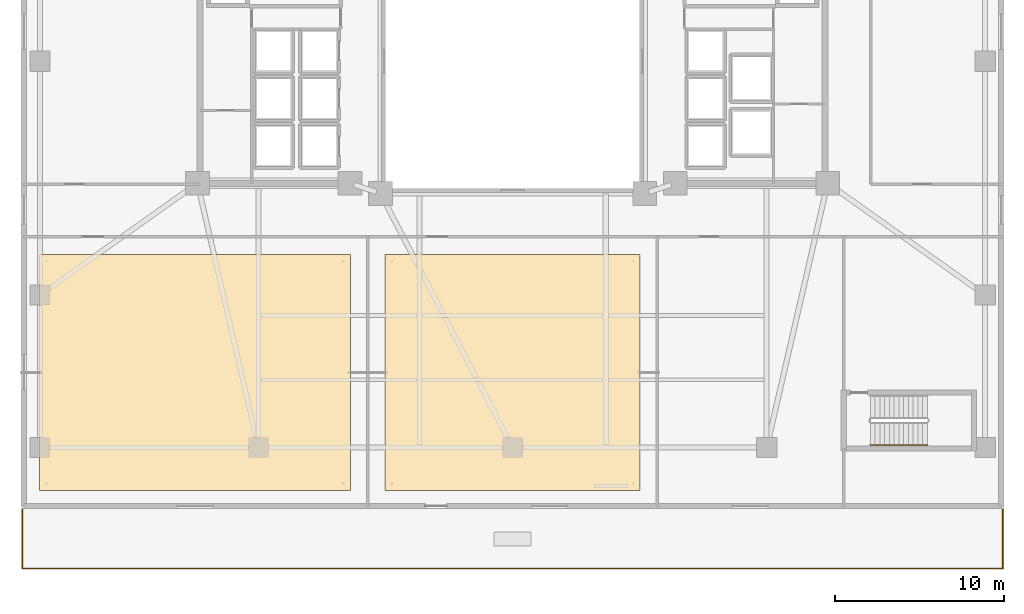
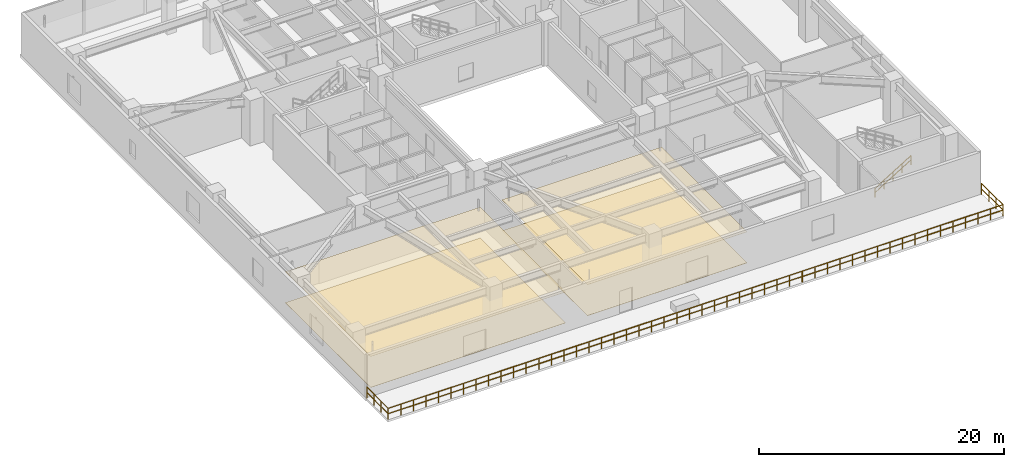
# One storey, part 19 of 22: 4 coverings, 4 railings.
"""IFC4 building model written with IfcOpenShell, lengths in metres."""

from ifc_helpers import new_model, si_unit, direction, frame, origin, origin_2d, place, context, subcontext, project, spatial, polyline, circle, outline, extrude, material, layer, layer_set, type_object, element, save


model = new_model("IFC4")

# Units and contexts
model_context = context("Model", 3, precision=1e-05, world=origin(), true_north=direction((0.0, 1.0)))
body_context = subcontext(model_context, "Body", "Model", "MODEL_VIEW")
ifc_project = project(units=[si_unit("LENGTHUNIT", "METRE"), si_unit("AREAUNIT", "SQUARE_METRE"), si_unit("VOLUMEUNIT", "CUBIC_METRE"), si_unit("PLANEANGLEUNIT", "RADIAN"), si_unit("MASSUNIT", "GRAM", prefix="KILO")], contexts=[model_context])

# Site, building, storey
site_placement = place(None, origin())
site = spatial("IfcSite", under=ifc_project, at=site_placement, CompositionType="ELEMENT")
building_placement = place(site_placement, origin())
building = spatial("IfcBuilding", under=site, at=building_placement, Name="Tarnavaz Court Tower", CompositionType="ELEMENT")
storey_placement = place(building_placement, frame((0.0, 0.0, 14.39990234375)))
storey = spatial("IfcBuildingStorey", under=building, at=storey_placement, Name="L03", CompositionType="ELEMENT", Elevation=14.39990234375)

# Coverings
ifc_material_1 = material(Name="Perforated Gypsum Acoustic Ceiling Tile", Category="masonry")
ifc_layer_1 = layer(ifc_material_1, 0.02490234375)
ifc_layer_set_1 = layer_set([ifc_layer_1], Name="Perforated Gypsum Acoustic Ceiling Tile")
covering_type_1 = type_object("IfcCoveringType", Name="CV-CEIL-AC", PredefinedType="CEILING", material=ifc_layer_set_1)
covering_1_placement = place(storey_placement, frame((0.0, 0.0, 3.080078125)))
element("IfcCovering", 1, at=covering_1_placement, inside=storey, type_object=covering_type_1, Name="L03 L03 West Terrace Waiting Lounge Suspended Acoustic Ceiling", PredefinedType="CEILING", context=body_context, shape_type="SweptSolid", body=[
    extrude(outline(polyline([(-27.929931640625, -25.330078125), (-9.580078125, -25.330078125), (-9.580078125, -11.39990234375), (-27.929931640625, -11.39990234375), (-27.929931640625, -25.330078125)])), origin(), (0.0, 0.0, 1.0), 0.02490234375),
])
covering_2_placement = place(storey_placement, frame((0.0, 0.0, 3.080078125)))
element("IfcCovering", 2, at=covering_2_placement, inside=storey, type_object=covering_type_1, Name="L03 Parent and Community Welfare Lounge Suspended Acoustic Ceiling", PredefinedType="CEILING", context=body_context, shape_type="SweptSolid", body=[
    extrude(outline(polyline([(-7.52001953125, -25.330078125), (7.52001953125, -25.330078125), (7.52001953125, -11.39990234375), (-7.52001953125, -11.39990234375), (-7.52001953125, -25.330078125)])), origin(), (0.0, 0.0, 1.0), 0.02490234375),
])
ifc_material_2 = material(Name="Glazed Khorasan Porcelain Floor Tile", Category="masonry")
ifc_layer_2 = layer(ifc_material_2, 0.02001953125)
ifc_layer_set_2 = layer_set([ifc_layer_2], Name="Glazed Khorasan Porcelain Floor Tile")
covering_type_2 = type_object("IfcCoveringType", Name="CV-FLR-PORC", PredefinedType="FLOORING", material=ifc_layer_set_2)
covering_3_placement = place(storey_placement, origin())
element("IfcCovering", 3, at=covering_3_placement, inside=storey, type_object=covering_type_2, Name="L03 L03 West Terrace Waiting Lounge Porcelain Floor Finish", PredefinedType="FLOORING", context=body_context, shape_type="SweptSolid", body=[
    extrude(outline(polyline([(-27.929931640625, -25.330078125), (-9.580078125, -25.330078125), (-9.580078125, -11.39990234375), (-27.929931640625, -11.39990234375), (-27.929931640625, -25.330078125)])), origin(), (0.0, 0.0, 1.0), 0.02001953125),
])
covering_4_placement = place(storey_placement, origin())
element("IfcCovering", 4, at=covering_4_placement, inside=storey, type_object=covering_type_2, Name="L03 Parent and Community Welfare Lounge Porcelain Floor Finish", PredefinedType="FLOORING", context=body_context, shape_type="SweptSolid", body=[
    extrude(outline(polyline([(-7.52001953125, -25.330078125), (7.52001953125, -25.330078125), (7.52001953125, -11.39990234375), (-7.52001953125, -11.39990234375), (-7.52001953125, -25.330078125)])), origin(), (0.0, 0.0, 1.0), 0.02001953125),
])

# Railings
ifc_material_3 = material(Name="Anodised Aluminium 6063-T6 and Laminated Safety Glass", Category="aluminium")
railing_type_1 = type_object("IfcRailingType", Name="RL-BAL-1120", PredefinedType="BALUSTRADE", material=ifc_material_3)
railing_1_placement = place(storey_placement, frame((-28.93994140625, -29.93994140625, 0.0)))
element("IfcRailing", 5, at=railing_1_placement, inside=storey, type_object=railing_type_1, Name="L03 Terrace 1 S Perimeter Balustrade", PredefinedType="BALUSTRADE", context=body_context, shape_type="SweptSolid", body=[
    extrude(circle(Radius=0.02392578125, at=origin_2d()), frame((0.0, 0.0, 1.09619140625), z_axis=(1.0, 0.0, 0.0), x_axis=(0.0, 1.0, 0.0)), (0.0, 0.0, 1.0), 57.8798828125),
    extrude(circle(Radius=0.02392578125, at=origin_2d()), frame((0.0, 0.0, 0.56005859375), z_axis=(1.0, 0.0, 0.0), x_axis=(0.0, 1.0, 0.0)), (0.0, 0.0, 1.0), 57.8798828125),
    extrude(circle(Radius=0.02099609375, at=origin_2d()), origin(), (0.0, 0.0, 1.0), 1.072021484375),
    extrude(circle(Radius=0.02099609375, at=origin_2d()), frame((1.18115234375, 0.0, 0.0)), (0.0, 0.0, 1.0), 1.072021484375),
    extrude(circle(Radius=0.02099609375, at=origin_2d()), frame((2.362548828125, 0.0, 0.0)), (0.0, 0.0, 1.0), 1.072021484375),
    extrude(circle(Radius=0.02099609375, at=origin_2d()), frame((3.543701171875, 0.0, 0.0)), (0.0, 0.0, 1.0), 1.072021484375),
    extrude(circle(Radius=0.02099609375, at=origin_2d()), frame((4.724853515625, 0.0, 0.0)), (0.0, 0.0, 1.0), 1.072021484375),
    extrude(circle(Radius=0.02099609375, at=origin_2d()), frame((5.906005859375, 0.0, 0.0)), (0.0, 0.0, 1.0), 1.072021484375),
    extrude(circle(Radius=0.02099609375, at=origin_2d()), frame((7.08740234375, 0.0, 0.0)), (0.0, 0.0, 1.0), 1.072021484375),
    extrude(circle(Radius=0.02099609375, at=origin_2d()), frame((8.2685546875, 0.0, 0.0)), (0.0, 0.0, 1.0), 1.072021484375),
    extrude(circle(Radius=0.02099609375, at=origin_2d()), frame((9.44970703125, 0.0, 0.0)), (0.0, 0.0, 1.0), 1.072021484375),
    extrude(circle(Radius=0.02099609375, at=origin_2d()), frame((10.631103515625, 0.0, 0.0)), (0.0, 0.0, 1.0), 1.072021484375),
    extrude(circle(Radius=0.02099609375, at=origin_2d()), frame((11.812255859375, 0.0, 0.0)), (0.0, 0.0, 1.0), 1.072021484375),
    extrude(circle(Radius=0.02099609375, at=origin_2d()), frame((12.993408203125, 0.0, 0.0)), (0.0, 0.0, 1.0), 1.072021484375),
    extrude(circle(Radius=0.02099609375, at=origin_2d()), frame((14.174560546875, 0.0, 0.0)), (0.0, 0.0, 1.0), 1.072021484375),
    extrude(circle(Radius=0.02099609375, at=origin_2d()), frame((15.35595703125, 0.0, 0.0)), (0.0, 0.0, 1.0), 1.072021484375),
    extrude(circle(Radius=0.02099609375, at=origin_2d()), frame((16.537109375, 0.0, 0.0)), (0.0, 0.0, 1.0), 1.072021484375),
    extrude(circle(Radius=0.02099609375, at=origin_2d()), frame((17.71826171875, 0.0, 0.0)), (0.0, 0.0, 1.0), 1.072021484375),
    extrude(circle(Radius=0.02099609375, at=origin_2d()), frame((18.899658203125, 0.0, 0.0)), (0.0, 0.0, 1.0), 1.072021484375),
    extrude(circle(Radius=0.02099609375, at=origin_2d()), frame((20.080810546875, 0.0, 0.0)), (0.0, 0.0, 1.0), 1.072021484375),
    extrude(circle(Radius=0.02099609375, at=origin_2d()), frame((21.261962890625, 0.0, 0.0)), (0.0, 0.0, 1.0), 1.072021484375),
    extrude(circle(Radius=0.02099609375, at=origin_2d()), frame((22.443115234375, 0.0, 0.0)), (0.0, 0.0, 1.0), 1.072021484375),
    extrude(circle(Radius=0.02099609375, at=origin_2d()), frame((23.62451171875, 0.0, 0.0)), (0.0, 0.0, 1.0), 1.072021484375),
    extrude(circle(Radius=0.02099609375, at=origin_2d()), frame((24.8056640625, 0.0, 0.0)), (0.0, 0.0, 1.0), 1.072021484375),
    extrude(circle(Radius=0.02099609375, at=origin_2d()), frame((25.98681640625, 0.0, 0.0)), (0.0, 0.0, 1.0), 1.072021484375),
    extrude(circle(Radius=0.02099609375, at=origin_2d()), frame((27.168212890625, 0.0, 0.0)), (0.0, 0.0, 1.0), 1.072021484375),
    extrude(circle(Radius=0.02099609375, at=origin_2d()), frame((28.349365234375, 0.0, 0.0)), (0.0, 0.0, 1.0), 1.072021484375),
    extrude(circle(Radius=0.02099609375, at=origin_2d()), frame((29.530517578125, 0.0, 0.0)), (0.0, 0.0, 1.0), 1.072021484375),
    extrude(circle(Radius=0.02099609375, at=origin_2d()), frame((30.711669921875, 0.0, 0.0)), (0.0, 0.0, 1.0), 1.072021484375),
    extrude(circle(Radius=0.02099609375, at=origin_2d()), frame((31.89306640625, 0.0, 0.0)), (0.0, 0.0, 1.0), 1.072021484375),
    extrude(circle(Radius=0.02099609375, at=origin_2d()), frame((33.07421875, 0.0, 0.0)), (0.0, 0.0, 1.0), 1.072021484375),
    extrude(circle(Radius=0.02099609375, at=origin_2d()), frame((34.25537109375, 0.0, 0.0)), (0.0, 0.0, 1.0), 1.072021484375),
    extrude(circle(Radius=0.02099609375, at=origin_2d()), frame((35.436767578125, 0.0, 0.0)), (0.0, 0.0, 1.0), 1.072021484375),
    extrude(circle(Radius=0.02099609375, at=origin_2d()), frame((36.617919921875, 0.0, 0.0)), (0.0, 0.0, 1.0), 1.072021484375),
    extrude(circle(Radius=0.02099609375, at=origin_2d()), frame((37.799072265625, 0.0, 0.0)), (0.0, 0.0, 1.0), 1.072021484375),
    extrude(circle(Radius=0.02099609375, at=origin_2d()), frame((38.980224609375, 0.0, 0.0)), (0.0, 0.0, 1.0), 1.072021484375),
    extrude(circle(Radius=0.02099609375, at=origin_2d()), frame((40.16162109375, 0.0, 0.0)), (0.0, 0.0, 1.0), 1.072021484375),
    extrude(circle(Radius=0.02099609375, at=origin_2d()), frame((41.3427734375, 0.0, 0.0)), (0.0, 0.0, 1.0), 1.072021484375),
    extrude(circle(Radius=0.02099609375, at=origin_2d()), frame((42.52392578125, 0.0, 0.0)), (0.0, 0.0, 1.0), 1.072021484375),
    extrude(circle(Radius=0.02099609375, at=origin_2d()), frame((43.705322265625, 0.0, 0.0)), (0.0, 0.0, 1.0), 1.072021484375),
    extrude(circle(Radius=0.02099609375, at=origin_2d()), frame((44.886474609375, 0.0, 0.0)), (0.0, 0.0, 1.0), 1.072021484375),
    extrude(circle(Radius=0.02099609375, at=origin_2d()), frame((46.067626953125, 0.0, 0.0)), (0.0, 0.0, 1.0), 1.072021484375),
    extrude(circle(Radius=0.02099609375, at=origin_2d()), frame((47.248779296875, 0.0, 0.0)), (0.0, 0.0, 1.0), 1.072021484375),
    extrude(circle(Radius=0.02099609375, at=origin_2d()), frame((48.43017578125, 0.0, 0.0)), (0.0, 0.0, 1.0), 1.072021484375),
    extrude(circle(Radius=0.02099609375, at=origin_2d()), frame((49.611328125, 0.0, 0.0)), (0.0, 0.0, 1.0), 1.072021484375),
    extrude(circle(Radius=0.02099609375, at=origin_2d()), frame((50.79248046875, 0.0, 0.0)), (0.0, 0.0, 1.0), 1.072021484375),
    extrude(circle(Radius=0.02099609375, at=origin_2d()), frame((51.973876953125, 0.0, 0.0)), (0.0, 0.0, 1.0), 1.072021484375),
    extrude(circle(Radius=0.02099609375, at=origin_2d()), frame((53.155029296875, 0.0, 0.0)), (0.0, 0.0, 1.0), 1.072021484375),
    extrude(circle(Radius=0.02099609375, at=origin_2d()), frame((54.336181640625, 0.0, 0.0)), (0.0, 0.0, 1.0), 1.072021484375),
    extrude(circle(Radius=0.02099609375, at=origin_2d()), frame((55.517333984375, 0.0, 0.0)), (0.0, 0.0, 1.0), 1.072021484375),
    extrude(circle(Radius=0.02099609375, at=origin_2d()), frame((56.69873046875, 0.0, 0.0)), (0.0, 0.0, 1.0), 1.072021484375),
    extrude(circle(Radius=0.02099609375, at=origin_2d()), frame((57.8798828125, 0.0, 0.0)), (0.0, 0.0, 1.0), 1.072021484375),
])
railing_2_placement = place(storey_placement, frame((28.93994140625, -29.93994140625, 0.0)))
element("IfcRailing", 6, at=railing_2_placement, inside=storey, type_object=railing_type_1, Name="L03 Terrace 1 E Perimeter Balustrade", PredefinedType="BALUSTRADE", context=body_context, shape_type="SweptSolid", body=[
    extrude(circle(Radius=0.02392578125, at=origin_2d()), frame((0.0, 0.0, 1.09619140625), z_axis=(0.0, 1.0, 0.0), x_axis=(-1.0, 0.0, 0.0)), (0.0, 0.0, 1.0), 3.47998046875),
    extrude(circle(Radius=0.02392578125, at=origin_2d()), frame((0.0, 0.0, 0.56005859375), z_axis=(0.0, 1.0, 0.0), x_axis=(-1.0, 0.0, 0.0)), (0.0, 0.0, 1.0), 3.47998046875),
    extrude(circle(Radius=0.02099609375, at=origin_2d()), origin(), (0.0, 0.0, 1.0), 1.072021484375),
    extrude(circle(Radius=0.02099609375, at=origin_2d()), frame((0.0, 1.159912109375, 0.0)), (0.0, 0.0, 1.0), 1.072021484375),
    extrude(circle(Radius=0.02099609375, at=origin_2d()), frame((0.0, 2.320068359375, 0.0)), (0.0, 0.0, 1.0), 1.072021484375),
    extrude(circle(Radius=0.02099609375, at=origin_2d()), frame((0.0, 3.47998046875, 0.0)), (0.0, 0.0, 1.0), 1.072021484375),
])
railing_3_placement = place(storey_placement, frame((-28.93994140625, -26.4599609375, 0.0)))
element("IfcRailing", 7, at=railing_3_placement, inside=storey, type_object=railing_type_1, Name="L03 Terrace 1 W Perimeter Balustrade", PredefinedType="BALUSTRADE", context=body_context, shape_type="SweptSolid", body=[
    extrude(circle(Radius=0.02392578125, at=origin_2d()), frame((0.0, 0.0, 1.09619140625), z_axis=(0.0, -1.0, 0.0), x_axis=(1.0, 0.0, 0.0)), (0.0, 0.0, 1.0), 3.47998046875),
    extrude(circle(Radius=0.02392578125, at=origin_2d()), frame((0.0, 0.0, 0.56005859375), z_axis=(0.0, -1.0, 0.0), x_axis=(1.0, 0.0, 0.0)), (0.0, 0.0, 1.0), 3.47998046875),
    extrude(circle(Radius=0.02099609375, at=origin_2d()), origin(), (0.0, 0.0, 1.0), 1.072021484375),
    extrude(circle(Radius=0.02099609375, at=origin_2d()), frame((0.0, -1.159912109375, 0.0)), (0.0, 0.0, 1.0), 1.072021484375),
    extrude(circle(Radius=0.02099609375, at=origin_2d()), frame((0.0, -2.320068359375, 0.0)), (0.0, 0.0, 1.0), 1.072021484375),
    extrude(circle(Radius=0.02099609375, at=origin_2d()), frame((0.0, -3.47998046875, 0.0)), (0.0, 0.0, 1.0), 1.072021484375),
])
ifc_material_4 = material(Name="Brushed Stainless Steel", Category="steel")
railing_type_2 = type_object("IfcRailingType", Name="RL-HANDRAIL-900", PredefinedType="HANDRAIL", material=ifc_material_4)
railing_4_placement = place(storey_placement, frame((21.1201171875, -22.64990234375, 0.173095703125)))
element("IfcRailing", 8, at=railing_4_placement, inside=storey, type_object=railing_type_2, Name="L03 ST-P1 stair handrail 1", PredefinedType="HANDRAIL", context=body_context, shape_type="SweptSolid", body=[
    extrude(circle(Radius=0.02392578125, at=origin_2d()), frame((0.0, 0.0, 0.8759765625), z_axis=(0.850606129759, 0.0, 0.525803396734), x_axis=(0.0, 1.0, 0.0)), (0.0, 0.0, 1.0), 3.949951171875),
    extrude(circle(Radius=0.02392578125, at=origin_2d()), frame((0.0, 0.0, 0.449951171875), z_axis=(0.850606129759, 0.0, 0.525803396734), x_axis=(0.0, 1.0, 0.0)), (0.0, 0.0, 1.0), 3.949951171875),
    extrude(circle(Radius=0.02099609375, at=origin_2d()), origin(), (0.0, 0.0, 1.0), 0.851806640625),
    extrude(circle(Radius=0.02099609375, at=origin_2d()), frame((0.83984375, 0.0, 0.519287109375)), (0.0, 0.0, 1.0), 0.851806640625),
    extrude(circle(Radius=0.02099609375, at=origin_2d()), frame((1.679931640625, 0.0, 1.03857421875)), (0.0, 0.0, 1.0), 0.851806640625),
    extrude(circle(Radius=0.02099609375, at=origin_2d()), frame((2.52001953125, 0.0, 1.5576171875)), (0.0, 0.0, 1.0), 0.851806640625),
    extrude(circle(Radius=0.02099609375, at=origin_2d()), frame((3.35986328125, 0.0, 2.076904296875)), (0.0, 0.0, 1.0), 0.851806640625),
])

save(model, "model.ifc")
